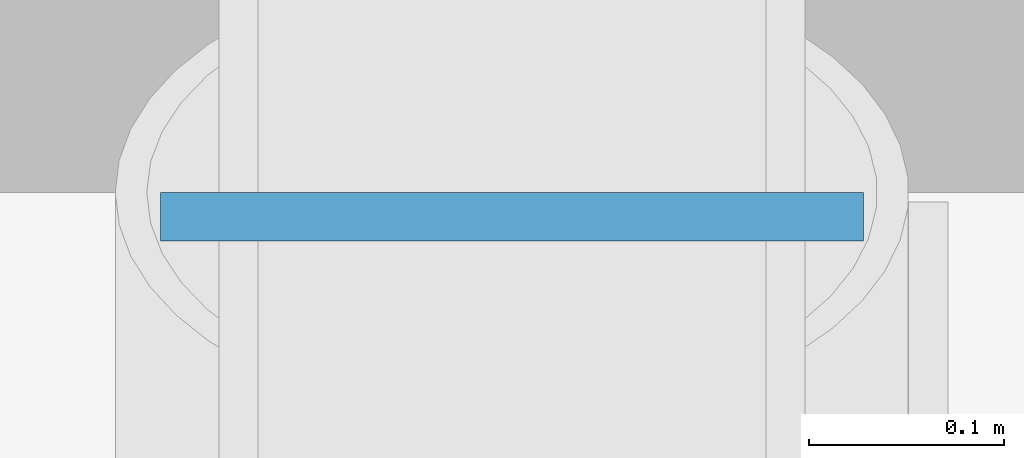
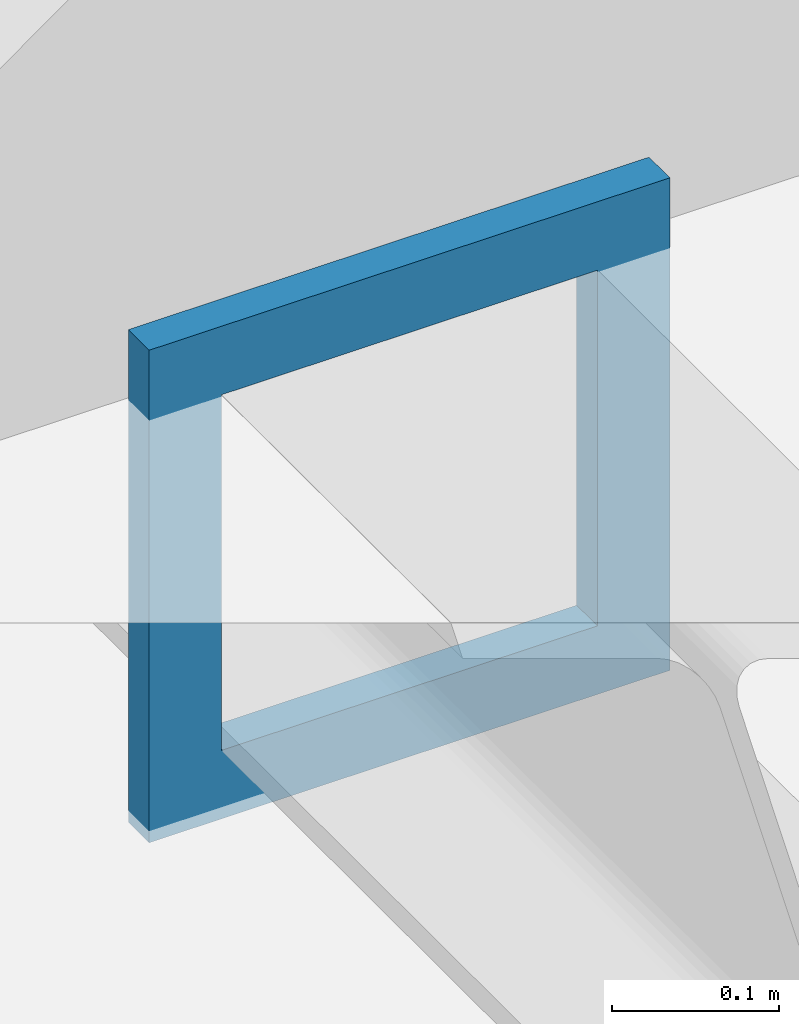
# One storey, part 18 of 26: 1 discrete accessory.
"""IFC4 building model written with IfcOpenShell, lengths in metres."""

import ifcopenshell
import ifcopenshell.guid

model = None  # the IFC model being written
_history = None  # IfcOwnerHistory: only IFC2X3 demands one
_inside = {}  # id of a spatial element -> (the spatial element, [elements in it])
_under = {}  # id of a project, library or spatial element -> (it, [spatial elements below it])
_declared = {}  # id of a project -> (the project, [libraries it declares])
_typed = {}  # id of a type object -> (the type object, [elements of that type])
_made_of = {}  # id of a material, layer set ... -> (it, [elements and type objects made of it])


def new_model(schema):
    """Start an empty IFC model of exactly this schema.

    Asked for "IFC4X3", IfcOpenShell would pick the latest addendum, in which some entities
    have other attributes; the version numbers below select the first issue.
    IFC2X3 requires an IfcOwnerHistory on every rooted entity: one is made here for all.
    """
    global model, _history
    if schema == "IFC4X3":
        model = ifcopenshell.file(schema_version=(4, 3, 0, 0))
    else:
        model = ifcopenshell.file(schema=schema)
    _inside.clear()
    _under.clear()
    _declared.clear()
    _typed.clear()
    _made_of.clear()
    _history = None
    if model.schema == "IFC2X3":
        org = make("IfcOrganization", Name="unknown")
        user = make(
            "IfcPersonAndOrganization",
            ThePerson=make("IfcPerson", FamilyName="unknown"),
            TheOrganization=org,
        )
        app = make(
            "IfcApplication",
            ApplicationDeveloper=org,
            Version="unknown",
            ApplicationFullName="unknown",
            ApplicationIdentifier="unknown",
        )
        _history = make(
            "IfcOwnerHistory",
            OwningUser=user,
            OwningApplication=app,
            ChangeAction="ADDED",
            CreationDate=0,
        )
    return model


def make(cls, **values):
    """One entity of the class cls with the attributes given. An attribute that is None is left unset."""
    return model.create_entity(
        cls, **{name: value for name, value in values.items() if value is not None}
    )


def rooted(cls, **values):
    """An entity with a GlobalId (a new one), such as an element, a storey or a relation."""
    return make(cls, GlobalId=ifcopenshell.guid.new(), OwnerHistory=_history, **values)


def si_unit(unit_type, name, prefix=None):
    """IfcSIUnit, for example si_unit("LENGTHUNIT", "METRE", prefix="MILLI")."""
    return make("IfcSIUnit", UnitType=unit_type, Prefix=prefix, Name=name)


def assignment(units):
    """IfcUnitAssignment: the units of a project."""
    return None if units is None else make("IfcUnitAssignment", Units=units)


def point(xyz):
    """IfcCartesianPoint."""
    return None if xyz is None else make("IfcCartesianPoint", Coordinates=xyz)


def direction(xyz):
    """IfcDirection."""
    return None if xyz is None else make("IfcDirection", DirectionRatios=xyz)


def frame(location, z_axis=None, x_axis=None):
    """IfcAxis2Placement3D, a coordinate frame: its origin and axes. An axis left out is left unset."""
    return make(
        "IfcAxis2Placement3D",
        Location=point(location),
        Axis=direction(z_axis),
        RefDirection=direction(x_axis),
    )


def origin():
    """The frame at (0, 0, 0) with its axes left unset."""
    return frame((0.0, 0.0, 0.0))


def place(relative_to, where):
    """IfcLocalPlacement: puts the frame where relative to a parent placement (None: the world)."""
    return make(
        "IfcLocalPlacement", PlacementRelTo=relative_to, RelativePlacement=where
    )


def context(
    kind, dimensions, precision=None, world=None, true_north=None, identifier=None
):
    """IfcGeometricRepresentationContext, for example the 3D "Model" context."""
    return make(
        "IfcGeometricRepresentationContext",
        ContextIdentifier=identifier,
        ContextType=kind,
        CoordinateSpaceDimension=dimensions,
        Precision=precision,
        WorldCoordinateSystem=world,
        TrueNorth=true_north,
    )


def subcontext(parent, identifier, kind, view, scale=None):
    """IfcGeometricRepresentationSubContext, for example "Body" below "Model"."""
    return make(
        "IfcGeometricRepresentationSubContext",
        ContextIdentifier=identifier,
        ContextType=kind,
        ParentContext=parent,
        TargetScale=scale,
        TargetView=view,
    )


def project(units=None, contexts=None):
    """IfcProject with its units and contexts."""
    return rooted(
        "IfcProject",
        Name="project",
        RepresentationContexts=contexts,
        UnitsInContext=assignment(units),
    )


def spatial(cls, under=None, at=None, **own):
    """A site, building, storey or space (cls), placed at a placement, below another one or the project."""
    s = rooted(cls, ObjectPlacement=at, **own)
    if under is not None:
        _under.setdefault(under.id(), (under, []))[1].append(s)
    return s


def polyline(points):
    """IfcPolyline through the points."""
    return make("IfcPolyline", Points=[point(p) for p in points])


def outline(outer, holes=None, kind="AREA"):
    """IfcArbitraryClosedProfileDef: a profile drawn as a closed curve; with holes, ...WithVoids."""
    if holes is None:
        return make("IfcArbitraryClosedProfileDef", ProfileType=kind, OuterCurve=outer)
    return make(
        "IfcArbitraryProfileDefWithVoids",
        ProfileType=kind,
        OuterCurve=outer,
        InnerCurves=holes,
    )


def extrude(swept, where, along, depth):
    """IfcExtrudedAreaSolid: the profile swept, set in the frame where, extruded along a direction by depth."""
    return make(
        "IfcExtrudedAreaSolid",
        SweptArea=swept,
        Position=where,
        ExtrudedDirection=direction(along),
        Depth=depth,
    )


def shape(context_of_items, identifier, shape_type, items):
    """IfcShapeRepresentation: the items that make up one representation, for example the "Body"."""
    return make(
        "IfcShapeRepresentation",
        ContextOfItems=context_of_items,
        RepresentationIdentifier=identifier,
        RepresentationType=shape_type,
        Items=items,
    )


def material(Name=None, Category=None):
    """IfcMaterial."""
    return make("IfcMaterial", Name=Name, Category=Category)


def layer(
    of_material, thickness, ventilated=None, Name=None, Category=None, Priority=None
):
    """IfcMaterialLayer: one layer of a wall or slab, of a material (None: an air gap)."""
    return make(
        "IfcMaterialLayer",
        Material=of_material,
        LayerThickness=thickness,
        IsVentilated=ventilated,
        Name=Name,
        Category=Category,
        Priority=Priority,
    )


def layer_set(layers, Name=None):
    """IfcMaterialLayerSet."""
    return make("IfcMaterialLayerSet", MaterialLayers=layers, LayerSetName=Name)


def made_of(thing, what):
    """Note that an element or type object is made of a material, layer set ...; save() writes the relation."""
    if what is not None:
        _made_of.setdefault(what.id(), (what, []))[1].append(thing)
    return thing


def type_object(cls, material=None, **own):
    """A type object (cls), such as IfcWallType, which elements share."""
    return made_of(rooted(cls, **own), material)


def element(
    cls,
    number,
    at=None,
    inside=None,
    cuts=None,
    type_object=None,
    material=None,
    context=None,
    identifier="Body",
    shape_type=None,
    held_by="IfcProductDefinitionShape",
    body=None,
    shapes=None,
    **own,
):
    """One element of the class cls, such as IfcWall. Its Tag is "e" and its number.

    at: its placement. inside: the storey or other place that contains it. cuts: it is an
    opening in that element (IfcRelVoidsElement). A single representation is given by context,
    identifier, shape_type and body (its items); several are given by shapes. held_by: the class
    of the entity that holds the representations. save() writes the other relations.
    """
    e = rooted(cls, Tag="e%d" % number, ObjectPlacement=at, **own)
    if body is not None:
        shapes = [shape(context, identifier, shape_type, body)]
    if shapes is not None:
        e.Representation = make(held_by, Representations=shapes)
    if inside is not None:
        _inside.setdefault(inside.id(), (inside, []))[1].append(e)
    if cuts is not None:
        rooted(
            "IfcRelVoidsElement", RelatingBuildingElement=cuts, RelatedOpeningElement=e
        )
    if type_object is not None:
        _typed.setdefault(type_object.id(), (type_object, []))[1].append(e)
    return made_of(e, material)


def aggregate(whole, parts):
    """IfcRelAggregates: a whole, such as a stair, and the parts it consists of."""
    return rooted("IfcRelAggregates", RelatingObject=whole, RelatedObjects=parts)


def save(model, path):
    """Write the relations noted so far, then the file.

    IfcRelAggregates (storeys below a building ...), IfcRelContainedInSpatialStructure (elements
    in a storey), IfcRelDefinesByType, IfcRelAssociatesMaterial and IfcRelDeclares: one each for
    every whole, place, type object, material and project.
    """
    for whole, parts in _under.values():
        aggregate(whole, parts)
    for where, things in _inside.values():
        rooted(
            "IfcRelContainedInSpatialStructure",
            RelatedElements=things,
            RelatingStructure=where,
        )
    for kind, things in _typed.values():
        rooted("IfcRelDefinesByType", RelatedObjects=things, RelatingType=kind)
    for what, things in _made_of.values():
        rooted("IfcRelAssociatesMaterial", RelatedObjects=things, RelatingMaterial=what)
    for by, libraries in _declared.values():
        rooted("IfcRelDeclares", RelatingContext=by, RelatedDefinitions=libraries)
    model.write(path)


model = new_model("IFC4")

# Units and contexts
model_context = context("Model", 3, precision=1e-05, world=origin(), true_north=direction((0.0, 1.0)))
body_context = subcontext(model_context, "Body", "Model", "MODEL_VIEW")
ifc_project = project(units=[si_unit("LENGTHUNIT", "METRE"), si_unit("AREAUNIT", "SQUARE_METRE"), si_unit("VOLUMEUNIT", "CUBIC_METRE"), si_unit("PLANEANGLEUNIT", "RADIAN"), si_unit("MASSUNIT", "GRAM", prefix="KILO")], contexts=[model_context])

# Site, building, storey
site_placement = place(None, origin())
site = spatial("IfcSite", under=ifc_project, at=site_placement, CompositionType="ELEMENT")
building_placement = place(site_placement, origin())
building = spatial("IfcBuilding", under=site, at=building_placement, Name="Kajstack Hotel Tower", CompositionType="ELEMENT")
storey_placement = place(building_placement, frame((0.0, 0.0, 257.300048828125)))
storey = spatial("IfcBuildingStorey", under=building, at=storey_placement, Name="L64", CompositionType="ELEMENT", Elevation=257.300048828125)

# Discrete accessory
ifc_material = material(Name="Steel S355J2", Category="steel")
ifc_layer = layer(ifc_material, 0.02490234375)
ifc_layer_set = layer_set([ifc_layer], Name="CAST-IN PLATE")
discrete_accessory_type = type_object("IfcDiscreteAccessoryType", Name="CAST-IN PLATE", PredefinedType="BRACKET", material=ifc_layer_set)
discrete_accessory_placement = place(storey_placement, frame((27.0, 1.47509765625, -0.130126953125), z_axis=(0.0, 1.0, 0.0), x_axis=(-1.0, 0.0, 0.0)))
element("IfcDiscreteAccessory", 1, at=discrete_accessory_placement, inside=storey, type_object=discrete_accessory_type, Name="Cast-in plate L64-026", PredefinedType="BRACKET", context=body_context, shape_type="SweptSolid", body=[
    extrude(outline(polyline([(-0.179931640625, -0.179931640625), (0.179931640625, -0.179931640625), (0.179931640625, 0.179931640625), (-0.179931640625, 0.179931640625), (-0.179931640625, -0.179931640625)]), holes=[polyline([(-0.1298828125, -0.1298828125), (-0.1298828125, 0.1298828125), (0.1298828125, 0.1298828125), (0.1298828125, -0.1298828125), (-0.1298828125, -0.1298828125)])]), origin(), (0.0, 0.0, 1.0), 0.02490234375),
])

save(model, "model.ifc")
